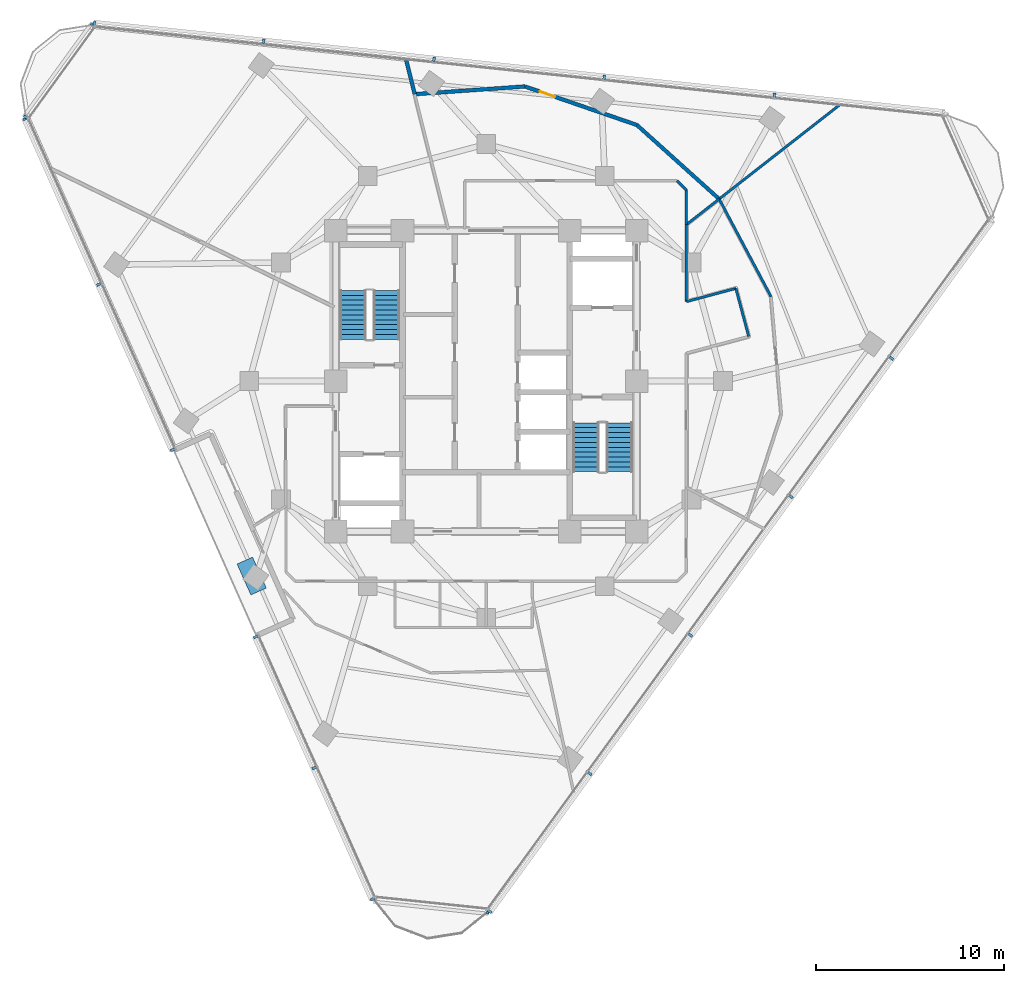
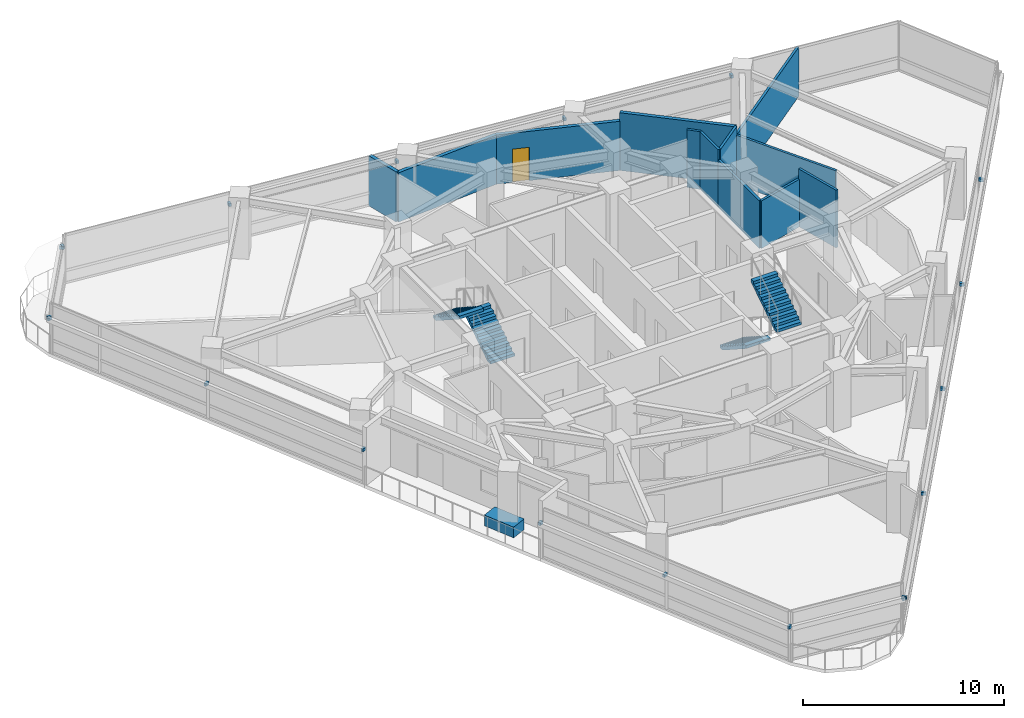
# One storey, part 10 of 14: 20 discrete accessories, 12 walls, 4 stair flights, 1 door, 1 opening, 2 elements without a shape of their own.
"""IFC4 building model written with IfcOpenShell, lengths in metres."""

from ifc_helpers import new_model, si_unit, direction, frame, frame_2d, origin, origin_2d, place, context, subcontext, project, spatial, polyline, rectangle, outline, extrude, material, layer, layer_set, type_object, element, fill, aggregate, save


model = new_model("IFC4")

# Units and contexts
model_context = context("Model", 3, precision=1e-05, world=origin(), true_north=direction((0.0, 1.0)))
body_context = subcontext(model_context, "Body", "Model", "MODEL_VIEW")
ifc_project = project(units=[si_unit("LENGTHUNIT", "METRE"), si_unit("AREAUNIT", "SQUARE_METRE"), si_unit("VOLUMEUNIT", "CUBIC_METRE"), si_unit("PLANEANGLEUNIT", "RADIAN"), si_unit("MASSUNIT", "GRAM", prefix="KILO")], contexts=[model_context])

# Site, building, storey
site_placement = place(None, origin())
site = spatial("IfcSite", under=ifc_project, at=site_placement, CompositionType="ELEMENT")
building_placement = place(site_placement, origin())
building = spatial("IfcBuilding", under=site, at=building_placement, Name="Terralouvre Media Tower", CompositionType="ELEMENT")
storey_placement = place(building_placement, frame((0.0, 0.0, 226.300048828125)))
storey = spatial("IfcBuildingStorey", under=building, at=storey_placement, Name="L58", CompositionType="ELEMENT", Elevation=226.300048828125)

# Wall
ifc_material_1 = material(Name="Fire-rated gypsum board drywall partition")
ifc_layer_1 = layer(ifc_material_1, 0.199951171875, Name="Fire-Rated Shaft and Lobby Partition FW-200")
ifc_layer_set_1 = layer_set([ifc_layer_1], Name="Fire-rated gypsum board drywall partition")
wall_type_1 = type_object("IfcWallType", Name="Fire-Rated Shaft and Lobby Partition FW-200", PredefinedType="SOLIDWALL", material=ifc_layer_set_1)
wall_1_placement = place(storey_placement, frame((-3.802978515625, 15.2548828125, 0.0), z_axis=(0.0, 0.0, 1.0), x_axis=(0.997563622011, 0.069762597718, 0.0)))
element("IfcWall", 1, at=wall_1_placement, inside=storey, type_object=wall_type_1, Name="L58 Interior Partition 042", PredefinedType="SOLIDWALL", context=body_context, shape_type="SweptSolid", body=[
    extrude(rectangle(XDim=5.87939453125, YDim=0.199951171875, at=frame_2d((2.939697265625, 0.0))), origin(), (0.0, 0.0, 1.0), 2.98486328125),
])

# Wall, opening, door
wall_2_placement = place(storey_placement, frame((2.06201171875, 15.6650390625, 0.0), z_axis=(0.0, 0.0, 1.0), x_axis=(0.94552565825, -0.32554758422, 0.0)))
wall_2 = element("IfcWall", 2, at=wall_2_placement, inside=storey, type_object=wall_type_1, Name="L58 Interior Partition 043", PredefinedType="SOLIDWALL", context=body_context, shape_type="SweptSolid", body=[
    extrude(rectangle(XDim=6.30029296875, YDim=0.199951171875, at=frame_2d((3.150146484375, 0.0))), origin(), (0.0, 0.0, 1.0), 2.98486328125),
])
opening_placement = place(wall_2_placement, frame((0.8349609375, 0.0, 0.0)))
opening = element("IfcOpeningElement", 3, at=opening_placement, cuts=wall_2, Name="Opening TD-R1", PredefinedType="OPENING", context=body_context, shape_type="SweptSolid", body=[
    extrude(rectangle(XDim=0.85009765625, YDim=2.02001953125, at=frame_2d((0.425048828125, 1.010009765625))), frame((0.0, 0.10986328125, 0.0), z_axis=(0.0, -1.0, 0.0), x_axis=(1.0, 0.0, 0.0)), (0.0, 0.0, 1.0), 0.219970703125),
])
ifc_material_2 = material(Name="Galvanised steel fire-resisting leaf", Category="steel")
door_type = type_object("IfcDoorType", Name="Riser Inspection Access Trapdoor TD-R1", OperationType="NOTDEFINED", PredefinedType="TRAPDOOR", material=ifc_material_2)
door_placement = place(opening_placement, origin())
door = element("IfcDoor", 4, at=door_placement, inside=storey, type_object=door_type, Name="L58 Encrypted Comms Server Room 6 Door", OperationType="SINGLE_SWING_RIGHT", OverallHeight=2.02001953125, OverallWidth=0.85009765625, PredefinedType="TRAPDOOR", context=body_context, shape_type="SweptSolid", body=[
    extrude(rectangle(XDim=0.85009765625, YDim=2.02001953125, at=frame_2d((0.425048828125, 1.010009765625))), frame((0.0, 0.02490234375, 0.0), z_axis=(0.0, -1.0, 0.0), x_axis=(1.0, 0.0, 0.0)), (0.0, 0.0, 1.0), 0.050048828125),
])
fill(opening, door)

# Walls
wall_3_placement = place(storey_placement, frame((8.01904296875, 13.614013671875, 0.0), z_axis=(0.0, 0.0, 1.0), x_axis=(0.743110388877, -0.669168850099, 0.0)))
element("IfcWall", 5, at=wall_3_placement, inside=storey, type_object=wall_type_1, Name="L58 Interior Partition 044", PredefinedType="SOLIDWALL", context=body_context, shape_type="SweptSolid", body=[
    extrude(rectangle(XDim=5.880615234375, YDim=0.199951171875, at=frame_2d((2.9404296875, 0.0))), origin(), (0.0, 0.0, 1.0), 3.5),
])
wall_4_placement = place(storey_placement, frame((-4.275390625, 17.1455078125, 0.0), z_axis=(0.0, 0.0, 1.0), x_axis=(0.242417712213, -0.970171970738, 0.0)))
element("IfcWall", 6, at=wall_4_placement, inside=storey, type_object=wall_type_1, Name="L58 Interior Partition 045", PredefinedType="SOLIDWALL", context=body_context, shape_type="SweptSolid", body=[
    extrude(rectangle(XDim=1.94873046875, YDim=0.199951171875, at=frame_2d((0.974365234375, 0.0))), origin(), (0.0, 0.0, 1.0), 3.034912109375),
])
ifc_material_3 = material(Name="Fire-rated gypsum board drywall partition")
ifc_layer_2 = layer(ifc_material_3, 0.135009765625, Name="Newsroom Acoustic Partition PT-135")
ifc_layer_set_2 = layer_set([ifc_layer_2], Name="Fire-rated gypsum board drywall partition")
wall_type_2 = type_object("IfcWallType", Name="Newsroom Acoustic Partition PT-135", PredefinedType="PARTITIONING", material=ifc_layer_set_2)
wall_5_placement = place(storey_placement, frame((13.9619140625, 2.368896484375, 0.0), z_axis=(0.0, 0.0, 1.0), x_axis=(-0.258413725385, 0.966034340245, 0.0)))
element("IfcWall", 7, at=wall_5_placement, inside=storey, type_object=wall_type_2, Name="L58 Interior Partition 003", PredefinedType="PARTITIONING", context=body_context, shape_type="SweptSolid", body=[
    extrude(rectangle(XDim=2.650146484375, YDim=0.135009765625, at=frame_2d((1.3251953125, 0.0))), origin(), (0.0, 0.0, 1.0), 3.5),
])
wall_6_placement = place(storey_placement, frame((13.277099609375, 4.928955078125, 0.0), z_axis=(0.0, 0.0, 1.0), x_axis=(-0.965934830229, -0.258785439601, 0.0)))
element("IfcWall", 8, at=wall_6_placement, inside=storey, type_object=wall_type_2, Name="L58 Interior Partition 004", PredefinedType="PARTITIONING", context=body_context, shape_type="SweptSolid", body=[
    extrude(rectangle(XDim=2.719970703125, YDim=0.135009765625, at=frame_2d((1.35986328125, 0.0))), origin(), (0.0, 0.0, 1.0), 2.885009765625),
])
wall_7_placement = place(storey_placement, frame((10.64990234375, 4.22509765625, 0.0), z_axis=(0.0, 0.0, 1.0), x_axis=(0.0, 1.0, 0.0)))
element("IfcWall", 9, at=wall_7_placement, inside=storey, type_object=wall_type_2, Name="L58 Interior Partition 005", PredefinedType="PARTITIONING", context=body_context, shape_type="SweptSolid", body=[
    extrude(rectangle(XDim=4.095947265625, YDim=0.135009765625, at=frame_2d((2.0478515625, 0.0))), origin(), (0.0, 0.0, 1.0), 2.885009765625),
])
wall_8_placement = place(storey_placement, frame((10.64990234375, 8.321044921875, 0.0), z_axis=(0.0, 0.0, 1.0), x_axis=(0.0, 1.0, 0.0)))
element("IfcWall", 10, at=wall_8_placement, inside=storey, type_object=wall_type_2, Name="L58 Interior Partition 015", PredefinedType="PARTITIONING", context=body_context, shape_type="SweptSolid", body=[
    extrude(rectangle(XDim=1.828857421875, YDim=0.135009765625, at=frame_2d((0.91455078125, 0.0))), origin(), (0.0, 0.0, 1.0), 3.5),
])
wall_9_placement = place(storey_placement, frame((10.64990234375, 10.14990234375, 0.0), z_axis=(0.0, 0.0, 1.0), x_axis=(-0.707106781187, 0.707106781187, 0.0)))
element("IfcWall", 11, at=wall_9_placement, inside=storey, type_object=wall_type_2, Name="L58 Interior Partition 016", PredefinedType="PARTITIONING", context=body_context, shape_type="SweptSolid", body=[
    extrude(rectangle(XDim=0.70703125, YDim=0.135009765625, at=frame_2d((0.353515625, 0.0))), origin(), (0.0, 0.0, 1.0), 3.5),
])
wall_10_placement = place(storey_placement, frame((15.14892578125, 4.487060546875, 0.0), z_axis=(0.0, 0.0, 1.0), x_axis=(-0.469396049876, 0.882987739643, 0.0)))
element("IfcWall", 12, at=wall_10_placement, inside=storey, type_object=wall_type_2, Name="L58 Interior Partition 024", PredefinedType="PARTITIONING", context=body_context, shape_type="SweptSolid", body=[
    extrude(rectangle(XDim=5.8798828125, YDim=0.135009765625, at=frame_2d((2.93994140625, 0.0))), origin(), (0.0, 0.0, 1.0), 2.98486328125),
])
wall_11_placement = place(storey_placement, frame((12.388916015625, 9.678955078125, 0.0), z_axis=(0.0, 0.0, 1.0), x_axis=(-0.788177008199, -0.615448619908, 0.0)))
element("IfcWall", 13, at=wall_11_placement, inside=storey, type_object=wall_type_2, Name="L58 Interior Partition 025", PredefinedType="PARTITIONING", context=body_context, shape_type="SweptSolid", body=[
    extrude(rectangle(XDim=2.206298828125, YDim=0.135009765625, at=frame_2d((1.10302734375, 0.0))), origin(), (0.0, 0.0, 1.0), 3.5),
])
wall_12_placement = place(storey_placement, frame((18.836181640625, 14.71630859375, 0.0), z_axis=(0.0, 0.0, 1.0), x_axis=(-0.78799903942, -0.615676468507, 0.0)))
element("IfcWall", 14, at=wall_12_placement, inside=storey, type_object=wall_type_2, Name="L58 Interior Partition 041", PredefinedType="PARTITIONING", context=body_context, shape_type="SweptSolid", body=[
    extrude(rectangle(XDim=8.181884765625, YDim=0.135009765625, at=frame_2d((4.0908203125, 0.0))), origin(), (0.0, 0.0, 1.0), 2.98486328125),
])

# Stair, stair flights
ifc_material_4 = material(Name="Concrete C45/55", Category="concrete")
stair_type_1 = type_object("IfcStairType", Name="Dogleg Stair Assembly ST-01", PredefinedType="HALF_TURN_STAIR", material=ifc_material_4)
stair_1_placement = place(storey_placement, origin())
stair_1 = element("IfcStair", 15, at=stair_1_placement, inside=storey, type_object=stair_type_1, Name="L58 Core Pressurised Exit Stair ST-01", PredefinedType="HALF_TURN_STAIR")
ifc_material_5 = material(Name="Concrete C45/55", Category="concrete")
stair_flight_type = type_object("IfcStairFlightType", Name="Reinforced Concrete Stair Flight SF-RC1", PredefinedType="STRAIGHT", material=ifc_material_5)
stair_flight_1_placement = place(storey_placement, frame((-5.300048828125, 2.219970703125, 0.0), z_axis=(0.0, 0.0, 1.0), x_axis=(0.0, 1.0, 0.0)))
stair_flight_1 = element("IfcStairFlight", 16, at=stair_flight_1_placement, type_object=stair_flight_type, Name="ST-01 flight 1", NumberOfRisers=11, NumberOfTreads=10, PredefinedType="STRAIGHT", RiserHeight=0.168181818, TreadLength=0.26, context=body_context, shape_type="SweptSolid", body=[
    extrude(outline(polyline([(0.0, 0.0), (0.0, 0.168212890625), (0.260009765625, 0.168212890625), (0.260009765625, 0.33642578125), (0.52001953125, 0.33642578125), (0.52001953125, 0.504638671875), (0.780029296875, 0.504638671875), (0.780029296875, 0.672607421875), (1.0400390625, 0.672607421875), (1.0400390625, 0.8408203125), (1.300048828125, 0.8408203125), (1.300048828125, 1.009033203125), (1.56005859375, 1.009033203125), (1.56005859375, 1.17724609375), (1.820068359375, 1.17724609375), (1.820068359375, 1.345458984375), (2.080078125, 1.345458984375), (2.080078125, 1.513671875), (2.340087890625, 1.513671875), (2.340087890625, 1.681884765625), (2.60009765625, 1.681884765625), (2.60009765625, 1.85009765625), (2.60009765625, 1.503173828125), (0.27587890625, 0.0), (0.0, 0.0)])), frame((0.0, 0.699951171875, 0.0), z_axis=(0.0, -1.0, 0.0), x_axis=(1.0, 0.0, 0.0)), (0.0, 0.0, 1.0), 1.39990234375),
])
stair_flight_2_placement = place(storey_placement, frame((-7.080078125, 4.820068359375, 1.849853515625), z_axis=(0.0, 0.0, 1.0), x_axis=(0.0, -1.0, 0.0)))
stair_flight_2 = element("IfcStairFlight", 17, at=stair_flight_2_placement, type_object=stair_flight_type, Name="ST-01 flight 2", NumberOfRisers=11, NumberOfTreads=10, PredefinedType="STRAIGHT", RiserHeight=0.168181818, TreadLength=0.26, context=body_context, shape_type="SweptSolid", body=[
    extrude(outline(polyline([(0.0, 0.0), (0.0, 0.168212890625), (0.260009765625, 0.168212890625), (0.260009765625, 0.33642578125), (0.52001953125, 0.33642578125), (0.52001953125, 0.504638671875), (0.780029296875, 0.504638671875), (0.780029296875, 0.672607421875), (1.0400390625, 0.672607421875), (1.0400390625, 0.8408203125), (1.300048828125, 0.8408203125), (1.300048828125, 1.009033203125), (1.56005859375, 1.009033203125), (1.56005859375, 1.17724609375), (1.820068359375, 1.17724609375), (1.820068359375, 1.345458984375), (2.080078125, 1.345458984375), (2.080078125, 1.513671875), (2.340087890625, 1.513671875), (2.340087890625, 1.681884765625), (2.60009765625, 1.681884765625), (2.60009765625, 1.85009765625), (2.60009765625, 1.503173828125), (0.27587890625, 0.0), (0.0, 0.0)])), frame((0.0, 0.699951171875, 0.0), z_axis=(0.0, -1.0, 0.0), x_axis=(1.0, 0.0, 0.0)), (0.0, 0.0, 1.0), 1.39990234375),
])
aggregate(stair_1, [stair_flight_1, stair_flight_2])

ifc_material_6 = material(Name="Concrete C45/55", Category="concrete")
stair_type_2 = type_object("IfcStairType", Name="Dogleg Stair Assembly ST-02", PredefinedType="HALF_TURN_STAIR", material=ifc_material_6)
stair_2_placement = place(storey_placement, origin())
stair_2 = element("IfcStair", 18, at=stair_2_placement, inside=storey, type_object=stair_type_2, Name="L58 Core Pressurised Exit Stair ST-02", PredefinedType="HALF_TURN_STAIR")
stair_flight_3_placement = place(storey_placement, frame((5.300048828125, -2.219970703125, 0.0), z_axis=(0.0, 0.0, 1.0), x_axis=(0.0, -1.0, 0.0)))
stair_flight_3 = element("IfcStairFlight", 19, at=stair_flight_3_placement, type_object=stair_flight_type, Name="ST-02 flight 1", NumberOfRisers=11, NumberOfTreads=10, PredefinedType="STRAIGHT", RiserHeight=0.168181818, TreadLength=0.26, context=body_context, shape_type="SweptSolid", body=[
    extrude(outline(polyline([(0.0, 0.0), (0.0, 0.168212890625), (0.260009765625, 0.168212890625), (0.260009765625, 0.33642578125), (0.52001953125, 0.33642578125), (0.52001953125, 0.504638671875), (0.780029296875, 0.504638671875), (0.780029296875, 0.672607421875), (1.0400390625, 0.672607421875), (1.0400390625, 0.8408203125), (1.300048828125, 0.8408203125), (1.300048828125, 1.009033203125), (1.56005859375, 1.009033203125), (1.56005859375, 1.17724609375), (1.820068359375, 1.17724609375), (1.820068359375, 1.345458984375), (2.080078125, 1.345458984375), (2.080078125, 1.513671875), (2.340087890625, 1.513671875), (2.340087890625, 1.681884765625), (2.60009765625, 1.681884765625), (2.60009765625, 1.85009765625), (2.60009765625, 1.503173828125), (0.27587890625, 0.0), (0.0, 0.0)])), frame((0.0, 0.699951171875, 0.0), z_axis=(0.0, -1.0, 0.0), x_axis=(1.0, 0.0, 0.0)), (0.0, 0.0, 1.0), 1.39990234375),
])
stair_flight_4_placement = place(storey_placement, frame((7.080078125, -4.820068359375, 1.849853515625), z_axis=(0.0, 0.0, 1.0), x_axis=(0.0, 1.0, 0.0)))
stair_flight_4 = element("IfcStairFlight", 20, at=stair_flight_4_placement, type_object=stair_flight_type, Name="ST-02 flight 2", NumberOfRisers=11, NumberOfTreads=10, PredefinedType="STRAIGHT", RiserHeight=0.168181818, TreadLength=0.26, context=body_context, shape_type="SweptSolid", body=[
    extrude(outline(polyline([(0.0, 0.0), (0.0, 0.168212890625), (0.260009765625, 0.168212890625), (0.260009765625, 0.33642578125), (0.52001953125, 0.33642578125), (0.52001953125, 0.504638671875), (0.780029296875, 0.504638671875), (0.780029296875, 0.672607421875), (1.0400390625, 0.672607421875), (1.0400390625, 0.8408203125), (1.300048828125, 0.8408203125), (1.300048828125, 1.009033203125), (1.56005859375, 1.009033203125), (1.56005859375, 1.17724609375), (1.820068359375, 1.17724609375), (1.820068359375, 1.345458984375), (2.080078125, 1.345458984375), (2.080078125, 1.513671875), (2.340087890625, 1.513671875), (2.340087890625, 1.681884765625), (2.60009765625, 1.681884765625), (2.60009765625, 1.85009765625), (2.60009765625, 1.503173828125), (0.27587890625, 0.0), (0.0, 0.0)])), frame((0.0, 0.699951171875, 0.0), z_axis=(0.0, -1.0, 0.0), x_axis=(1.0, 0.0, 0.0)), (0.0, 0.0, 1.0), 1.39990234375),
])
aggregate(stair_2, [stair_flight_3, stair_flight_4])

# Discrete accessories
ifc_material_7 = material(Name="Anodised extruded aluminium 6063-T6", Category="aluminium")
discrete_accessory_type_1 = type_object("IfcDiscreteAccessoryType", Name="Mullion Stand-Off Baguette Fixing Bracket BK-01", PredefinedType="BRACKET", material=ifc_material_7)
for number, where, z_axis, x_axis, name in (
    (21, (0.180419921875, -28.205322265625, 2.07421875), (0.0, 0.0, 1.0), (0.587785300879, 0.809016959074, 0.0), "CW-L58-F0 Baguette Outrigger Bracket 1.01"),
    (22, (5.50732421875, -20.87353515625, 2.07421875), (0.0, 0.0, 1.0), (0.587785300879, 0.809016959074, 0.0), "CW-L58-F0 Baguette Outrigger Bracket 1.02"),
    (23, (10.856201171875, -13.511474609375, 2.07421875), (0.0, 0.0, 1.0), (0.587785300879, 0.809016959074, 0.0), "CW-L58-F0 Baguette Outrigger Bracket 1.03"),
    (24, (16.205078125, -6.1494140625, 2.07421875), (0.0, 0.0, 1.0), (0.587785300879, 0.809016959074, 0.0), "CW-L58-F0 Baguette Outrigger Bracket 1.04"),
    (25, (21.553955078125, 1.212646484375, 2.07421875), (0.0, 0.0, 1.0), (0.587785300879, 0.809016959074, 0.0), "CW-L58-F0 Baguette Outrigger Bracket 1.05"),
    (26, (15.323486328125, 15.206298828125, 2.07421875), (0.0, 0.0, 1.0), (-0.994521885028, 0.104528561651, 0.0), "CW-L58-F1 Baguette Outrigger Bracket 1.02"),
    (27, (6.273193359375, 16.157470703125, 2.07421875), (0.0, 0.0, 1.0), (-0.994521885028, 0.104528561651, 0.0), "CW-L58-F1 Baguette Outrigger Bracket 1.03"),
    (28, (-2.77685546875, 17.108642578125, 2.07421875), (0.0, 0.0, 1.0), (-0.994521885028, 0.104528561651, 0.0), "CW-L58-F1 Baguette Outrigger Bracket 1.04"),
    (29, (-11.826904296875, 18.059814453125, 2.07421875), (0.0, 0.0, 1.0), (-0.994521885028, 0.104528561651, 0.0), "CW-L58-F1 Baguette Outrigger Bracket 1.05"),
    (30, (-20.83984375, 19.007080078125, 2.07421875), (0.0, 0.0, 1.0), (-0.994521885028, 0.104528561651, 0.0), "CW-L58-F1 Baguette Outrigger Bracket 1.06"),
    (31, (-24.516845703125, 13.9462890625, 2.07421875), (0.0, 0.0, 1.0), (0.406736988415, -0.913545303888, 0.0), "CW-L58-F2L Baguette Outrigger Bracket 1.01"),
    (32, (-20.596923828125, 5.14208984375, 2.07421875), (0.0, 0.0, 1.0), (0.406736988415, -0.913545303888, 0.0), "CW-L58-F2L Baguette Outrigger Bracket 1.02"),
    (33, (-16.677001953125, -3.662353515625, 2.07421875), (0.0, 0.0, 1.0), (0.406736988415, -0.913545303888, 0.0), "CW-L58-F2L Baguette Outrigger Bracket 1.03"),
    (34, (-12.253662109375, -13.596923828125, 2.07421875), (0.0, 0.0, 1.0), (0.406735819915, -0.913545824137, 0.0), "CW-L58-F2R Baguette Outrigger Bracket 1.01"),
    (35, (-9.147216796875, -20.57421875, 2.07421875), (0.0, 0.0, 1.0), (0.406735819915, -0.913545824137, 0.0), "CW-L58-F2R Baguette Outrigger Bracket 1.02"),
    (36, (-6.040771484375, -27.551513671875, 2.07421875), (0.0, 0.0, 1.0), (0.406735819915, -0.913545824137, 0.0), "CW-L58-F2R Baguette Outrigger Bracket 1.03"),
    (37, (0.086669921875, -28.22802734375, 2.07421875), (0.0, 0.0, 1.0), (0.994521944551, -0.104527995322, 0.0), "CW-L58-C0 Baguette Outrigger Bracket 1.02"),
    (38, (-20.919677734375, 18.952880859375, 2.07421875), (0.0, 0.0, 1.0), (-0.58778588998, -0.809016531067, 0.0), "CW-L58-C2 Baguette Outrigger Bracket 1.01"),
    (39, (-24.48974609375, 14.0390625, 2.07421875), (0.0, 0.0, 1.0), (-0.58778588998, -0.809016531067, 0.0), "CW-L58-C2 Baguette Outrigger Bracket 1.02"),
):
    element("IfcDiscreteAccessory", number, at=place(storey_placement, frame(where, z_axis=z_axis, x_axis=x_axis)), inside=storey, type_object=discrete_accessory_type_1, Name=name, PredefinedType="BRACKET", context=body_context, shape_type="SweptSolid", body=[
        extrude(rectangle(XDim=0.139892578125, YDim=0.239990234375, at=origin_2d()), origin(), (0.0, 0.0, 1.0), 0.179931640625),
    ])
ifc_material_8 = material(Name="Kiln-fired architectural terracotta rainscreen cladding", Category="masonry")
discrete_accessory_type_2 = type_object("IfcDiscreteAccessoryType", Name="Planted Tropical Garden Bed Planter PLT-01", PredefinedType="USERDEFINED", material=ifc_material_8)
discrete_accessory_placement = place(storey_placement, frame((-12.470458984375, -10.36865234375, -0.0048828125), z_axis=(0.0, 0.0, 1.0), x_axis=(0.406737110995, -0.913545249311, 0.0)))
element("IfcDiscreteAccessory", 40, at=discrete_accessory_placement, inside=storey, type_object=discrete_accessory_type_2, Name="L58 SG Planted Garden Bed Planter", ObjectType="PLANTER", PredefinedType="USERDEFINED", context=body_context, shape_type="SweptSolid", body=[
    extrude(rectangle(XDim=1.800048828125, YDim=0.89990234375, at=origin_2d()), origin(), (0.0, 0.0, 1.0), 0.64990234375),
])

save(model, "model.ifc")
